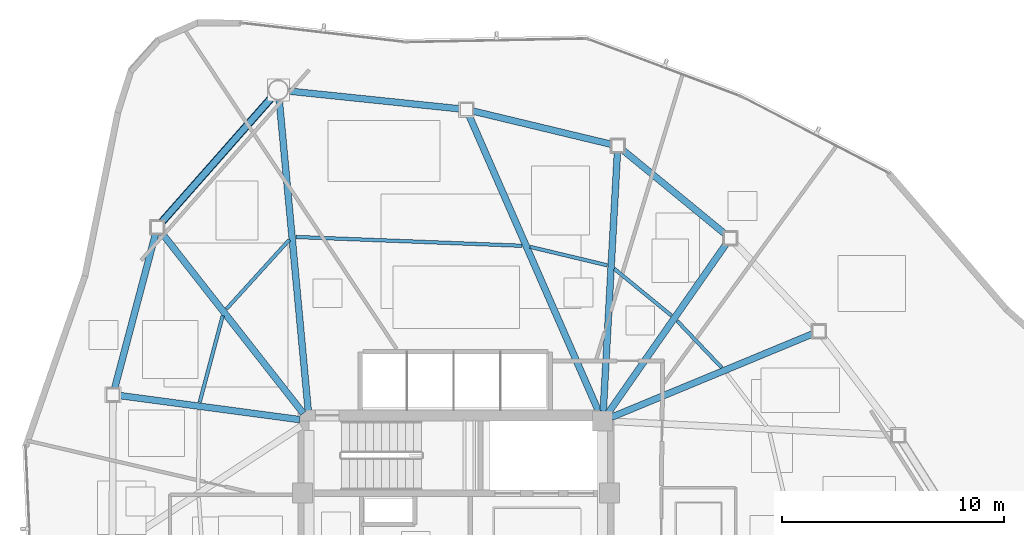
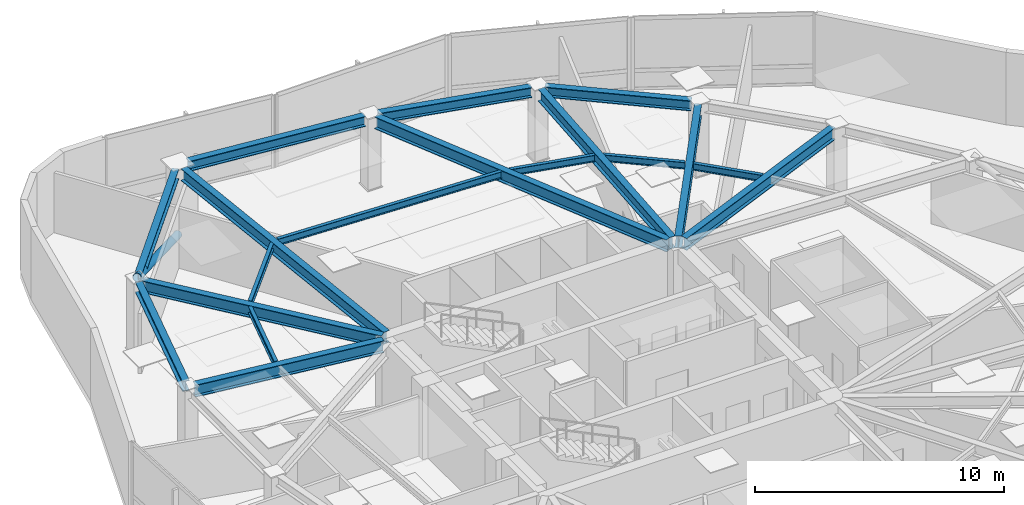
# One storey, part 7 of 17: 18 beams, 1 member.
"""IFC4 building model written with IfcOpenShell, lengths in metres."""

from ifc_helpers import new_model, si_unit, direction, frame, origin, origin_2d, place, context, subcontext, project, spatial, hollow_circle, i_section, extrude, material, material_profile, profile_set, type_object, element, save


model = new_model("IFC4")

# Units and contexts
model_context = context("Model", 3, precision=1e-05, world=origin(), true_north=direction((0.0, 1.0)))
body_context = subcontext(model_context, "Body", "Model", "MODEL_VIEW")
ifc_project = project(units=[si_unit("LENGTHUNIT", "METRE"), si_unit("AREAUNIT", "SQUARE_METRE"), si_unit("VOLUMEUNIT", "CUBIC_METRE"), si_unit("PLANEANGLEUNIT", "RADIAN"), si_unit("MASSUNIT", "GRAM", prefix="KILO")], contexts=[model_context])

# Site, building, storey
site_placement = place(None, origin())
site = spatial("IfcSite", under=ifc_project, at=site_placement, CompositionType="ELEMENT")
building_placement = place(site_placement, origin())
building = spatial("IfcBuilding", under=site, at=building_placement, Name="Tavelor Broadcast Tower", CompositionType="ELEMENT")
storey_placement = place(building_placement, frame((0.0, 0.0, 184.89990234375)))
storey = spatial("IfcBuildingStorey", under=building, at=storey_placement, Name="L44", CompositionType="ELEMENT", Elevation=184.89990234375)

# Beams
ifc_material = material(Name="Steel S355", Category="steel")
ifc_material_profile_1 = material_profile(ifc_material, i_section(OverallWidth=0.159912109375, OverallDepth=0.330078125, WebThickness=0.007568359375, FlangeThickness=0.011474609375, at=origin_2d()), Name="IPE 330")
ifc_profile_set_1 = profile_set([ifc_material_profile_1], Name="Steel S355")
beam_type_1 = type_object("IfcBeamType", Name="Composite Floor Joist T4 IPE 330", PredefinedType="JOIST", material=ifc_profile_set_1)
beam_1_placement = place(storey_placement, frame((42.505615234375, 59.343505859375, 3.385009765625), z_axis=(-0.672852052716, -0.739777071256, 0.0), x_axis=(0.739777071256, -0.672852052716, 0.0)))
element("IfcBeam", 1, at=beam_1_placement, inside=storey, type_object=beam_type_1, Name="L44 Secondary Composite Floor Joist 01", PredefinedType="JOIST", context=body_context, shape_type="SweptSolid", body=[
    extrude(i_section(OverallWidth=0.159912109375, OverallDepth=0.330078125, WebThickness=0.007568359375, FlangeThickness=0.011474609375, at=origin_2d()), origin(), (0.0, 0.0, 1.0), 4.202392578125),
])
beam_2_placement = place(storey_placement, frame((39.509521484375, 55.92578125, 3.385009765625), z_axis=(-0.256963595852, -0.966421083383, 0.0), x_axis=(0.966421083383, -0.256963595852, 0.0)))
element("IfcBeam", 2, at=beam_2_placement, inside=storey, type_object=beam_type_1, Name="L44 Secondary Composite Floor Joist 02", PredefinedType="JOIST", context=body_context, shape_type="SweptSolid", body=[
    extrude(i_section(OverallWidth=0.159912109375, OverallDepth=0.330078125, WebThickness=0.007568359375, FlangeThickness=0.011474609375, at=origin_2d()), origin(), (0.0, 0.0, 1.0), 4.021728515625),
])
beam_3_placement = place(storey_placement, frame((61.946044921875, 53.59814453125, 3.385009765625), z_axis=(-0.689642531817, 0.724149969487, 0.0), x_axis=(-0.724149969487, -0.689642531817, 0.0)))
element("IfcBeam", 3, at=beam_3_placement, inside=storey, type_object=beam_type_1, Name="L44 Secondary Composite Floor Joist 15", PredefinedType="JOIST", context=body_context, shape_type="SweptSolid", body=[
    extrude(i_section(OverallWidth=0.159912109375, OverallDepth=0.330078125, WebThickness=0.007568359375, FlangeThickness=0.011474609375, at=origin_2d()), origin(), (0.0, 0.0, 1.0), 2.893798828125),
])
beam_4_placement = place(storey_placement, frame((59.685791015625, 55.939453125, 3.385009765625), z_axis=(-0.773655391446, 0.633606609251, 0.0), x_axis=(-0.633606609251, -0.773655391446, 0.0)))
element("IfcBeam", 4, at=beam_4_placement, inside=storey, type_object=beam_type_1, Name="L44 Secondary Composite Floor Joist 16", PredefinedType="JOIST", context=body_context, shape_type="SweptSolid", body=[
    extrude(i_section(OverallWidth=0.159912109375, OverallDepth=0.330078125, WebThickness=0.007568359375, FlangeThickness=0.011474609375, at=origin_2d()), origin(), (0.0, 0.0, 1.0), 3.315673828125),
])
beam_5_placement = place(storey_placement, frame((56.804443359375, 58.197021484375, 3.385009765625), z_axis=(-0.972674676245, 0.232172294196, 0.0), x_axis=(-0.232172294196, -0.972674676245, 0.0)))
element("IfcBeam", 5, at=beam_5_placement, inside=storey, type_object=beam_type_1, Name="L44 Secondary Composite Floor Joist 17", PredefinedType="JOIST", context=body_context, shape_type="SweptSolid", body=[
    extrude(i_section(OverallWidth=0.159912109375, OverallDepth=0.330078125, WebThickness=0.007568359375, FlangeThickness=0.011474609375, at=origin_2d()), origin(), (0.0, 0.0, 1.0), 3.56884765625),
])
beam_6_placement = place(storey_placement, frame((52.976318359375, 59.07470703125, 3.385009765625), z_axis=(-0.999243420365, 0.038891989637, 0.0), x_axis=(-0.038891989637, -0.999243420365, 0.0)))
element("IfcBeam", 6, at=beam_6_placement, inside=storey, type_object=beam_type_1, Name="L44 Secondary Composite Floor Joist 18", PredefinedType="JOIST", context=body_context, shape_type="SweptSolid", body=[
    extrude(i_section(OverallWidth=0.159912109375, OverallDepth=0.330078125, WebThickness=0.007568359375, FlangeThickness=0.011474609375, at=origin_2d()), origin(), (0.0, 0.0, 1.0), 10.17578125),
])
ifc_material_profile_2 = material_profile(ifc_material, i_section(OverallWidth=0.300048828125, OverallDepth=0.5, WebThickness=0.014404296875, FlangeThickness=0.028076171875, at=origin_2d()), Name="HEB 500")
ifc_profile_set_2 = profile_set([ifc_material_profile_2], Name="Steel S355")
beam_type_2 = type_object("IfcBeamType", Name="Perimeter Spandrel Beam T4 HEB 500", PredefinedType="SPANDREL", material=ifc_profile_set_2)
beam_7_placement = place(storey_placement, frame((41.720947265625, 65.7509765625, 3.300048828125), z_axis=(-0.661625943185, -0.749834055845, 0.0), x_axis=(0.749834055845, -0.661625943185, 0.0)))
element("IfcBeam", 7, at=beam_7_placement, inside=storey, type_object=beam_type_2, Name="L44 Framed-Tube Ring Spandrel 01", PredefinedType="SPANDREL", context=body_context, shape_type="SweptSolid", body=[
    extrude(i_section(OverallWidth=0.300048828125, OverallDepth=0.5, WebThickness=0.014404296875, FlangeThickness=0.028076171875, at=origin_2d()), origin(), (0.0, 0.0, 1.0), 7.500732421875),
])
beam_8_placement = place(storey_placement, frame((36.493896484375, 59.63232421875, 3.300048828125), z_axis=(-0.255762341211, -0.96673968824, 0.0), x_axis=(0.96673968824, -0.255762341211, 0.0)))
element("IfcBeam", 8, at=beam_8_placement, inside=storey, type_object=beam_type_2, Name="L44 Framed-Tube Ring Spandrel 02", PredefinedType="SPANDREL", context=body_context, shape_type="SweptSolid", body=[
    extrude(i_section(OverallWidth=0.300048828125, OverallDepth=0.5, WebThickness=0.014404296875, FlangeThickness=0.028076171875, at=origin_2d()), origin(), (0.0, 0.0, 1.0), 7.214599609375),
])
beam_9_placement = place(storey_placement, frame((62.1083984375, 59.59912109375, 3.300048828125), z_axis=(-0.772717651191, 0.634749896839, 0.0), x_axis=(-0.634749896839, -0.772717651191, 0.0)))
element("IfcBeam", 9, at=beam_9_placement, inside=storey, type_object=beam_type_2, Name="L44 Framed-Tube Ring Spandrel 16", PredefinedType="SPANDREL", context=body_context, shape_type="SweptSolid", body=[
    extrude(i_section(OverallWidth=0.300048828125, OverallDepth=0.5, WebThickness=0.014404296875, FlangeThickness=0.028076171875, at=origin_2d()), origin(), (0.0, 0.0, 1.0), 5.965087890625),
])
beam_10_placement = place(storey_placement, frame((56.99658203125, 63.635498046875, 3.300048828125), z_axis=(-0.972354853411, 0.233508113452, 0.0), x_axis=(-0.233508113452, -0.972354853411, 0.0)))
element("IfcBeam", 10, at=beam_10_placement, inside=storey, type_object=beam_type_2, Name="L44 Framed-Tube Ring Spandrel 17", PredefinedType="SPANDREL", context=body_context, shape_type="SweptSolid", body=[
    extrude(i_section(OverallWidth=0.300048828125, OverallDepth=0.5, WebThickness=0.014404296875, FlangeThickness=0.028076171875, at=origin_2d()), origin(), (0.0, 0.0, 1.0), 6.421630859375),
])
beam_11_placement = place(storey_placement, frame((50.18603515625, 65.23193359375, 3.300048828125), z_axis=(-0.99466284774, 0.103178579783, 0.0), x_axis=(-0.103178579783, -0.99466284774, 0.0)))
element("IfcBeam", 11, at=beam_11_placement, inside=storey, type_object=beam_type_2, Name="L44 Framed-Tube Ring Spandrel 18", PredefinedType="SPANDREL", context=body_context, shape_type="SweptSolid", body=[
    extrude(i_section(OverallWidth=0.300048828125, OverallDepth=0.5, WebThickness=0.014404296875, FlangeThickness=0.028076171875, at=origin_2d()), origin(), (0.0, 0.0, 1.0), 7.780029296875),
])

# Member
ifc_material_profile_3 = material_profile(ifc_material, hollow_circle(Radius=0.177734375, WallThickness=0.01611328125, at=origin_2d()), Name="CHS 355.6x16")
ifc_profile_set_3 = profile_set([ifc_material_profile_3], Name="Steel S355")
member_type = type_object("IfcMemberType", Name="Perimeter Tube Brace T4 CHS 355.6x16", PredefinedType="BRACE", material=ifc_profile_set_3)
member_placement = place(storey_placement, frame((42.01123046875, 66.080078125, 0.0), z_axis=(-0.607484590691, -0.688484352459, 0.396171387776), x_axis=(0.74983872131, -0.661620655681, 0.0)))
element("IfcMember", 12, at=member_placement, inside=storey, type_object=member_type, Name="L44 Corner Tube Diagonal Brace 1", PredefinedType="BRACE", context=body_context, shape_type="SweptSolid", body=[
    extrude(hollow_circle(Radius=0.177734375, WallThickness=0.01611328125, at=origin_2d()), origin(), (0.0, 0.0, 1.0), 8.9609375),
])

# Beams
ifc_material_profile_4 = material_profile(ifc_material, i_section(OverallWidth=0.300048828125, OverallDepth=0.590087890625, WebThickness=0.012939453125, FlangeThickness=0.02490234375, at=origin_2d()), Name="HEA 600")
ifc_profile_set_4 = profile_set([ifc_material_profile_4], Name="Steel S355")
beam_type_3 = type_object("IfcBeamType", Name="Radial Floor Girder T4 HEA 600", PredefinedType="BEAM", material=ifc_profile_set_4)
beam_12_placement = place(storey_placement, frame((43.35986328125, 51.630126953125, 3.255126953125), z_axis=(-0.092926929372, 0.995672931136, 0.0), x_axis=(-0.995672931136, -0.092926929372, 0.0)))
element("IfcBeam", 13, at=beam_12_placement, inside=storey, type_object=beam_type_3, Name="L44 Radial Primary Floor Girder 01", PredefinedType="BEAM", context=body_context, shape_type="SweptSolid", body=[
    extrude(i_section(OverallWidth=0.300048828125, OverallDepth=0.590087890625, WebThickness=0.012939453125, FlangeThickness=0.02490234375, at=origin_2d()), origin(), (0.0, 0.0, 1.0), 14.073974609375),
])
beam_13_placement = place(storey_placement, frame((43.13330078125, 51.539794921875, 3.255126953125), z_axis=(-0.617155684101, 0.786841065007, 0.0), x_axis=(-0.786841065007, -0.617155684101, 0.0)))
element("IfcBeam", 14, at=beam_13_placement, inside=storey, type_object=beam_type_3, Name="L44 Radial Primary Floor Girder 02", PredefinedType="BEAM", context=body_context, shape_type="SweptSolid", body=[
    extrude(i_section(OverallWidth=0.300048828125, OverallDepth=0.590087890625, WebThickness=0.012939453125, FlangeThickness=0.02490234375, at=origin_2d()), origin(), (0.0, 0.0, 1.0), 10.3505859375),
])
beam_14_placement = place(storey_placement, frame((42.9716796875, 51.257080078125, 3.255126953125), z_axis=(-0.991183810809, 0.132493974169, 0.0), x_axis=(-0.132493974169, -0.991183810809, 0.0)))
element("IfcBeam", 15, at=beam_14_placement, inside=storey, type_object=beam_type_3, Name="L44 Radial Primary Floor Girder 03", PredefinedType="BEAM", context=body_context, shape_type="SweptSolid", body=[
    extrude(i_section(OverallWidth=0.300048828125, OverallDepth=0.590087890625, WebThickness=0.012939453125, FlangeThickness=0.02490234375, at=origin_2d()), origin(), (0.0, 0.0, 1.0), 8.183349609375),
])
beam_15_placement = place(storey_placement, frame((56.9990234375, 51.365478515625, 3.255126953125), z_axis=(0.923827405628, 0.38280925356, 0.0), x_axis=(-0.38280925356, 0.923827405628, 0.0)))
element("IfcBeam", 16, at=beam_15_placement, inside=storey, type_object=beam_type_3, Name="L44 Radial Primary Floor Girder 15", PredefinedType="BEAM", context=body_context, shape_type="SweptSolid", body=[
    extrude(i_section(OverallWidth=0.300048828125, OverallDepth=0.590087890625, WebThickness=0.012939453125, FlangeThickness=0.02490234375, at=origin_2d()), origin(), (0.0, 0.0, 1.0), 9.8037109375),
])
beam_16_placement = place(storey_placement, frame((56.84716796875, 51.55419921875, 3.255126953125), z_axis=(0.572078083908, 0.820199162346, 0.0), x_axis=(-0.820199162346, 0.572078083908, 0.0)))
element("IfcBeam", 17, at=beam_16_placement, inside=storey, type_object=beam_type_3, Name="L44 Radial Primary Floor Girder 16", PredefinedType="BEAM", context=body_context, shape_type="SweptSolid", body=[
    extrude(i_section(OverallWidth=0.300048828125, OverallDepth=0.590087890625, WebThickness=0.012939453125, FlangeThickness=0.02490234375, at=origin_2d()), origin(), (0.0, 0.0, 1.0), 9.29736328125),
])
beam_17_placement = place(storey_placement, frame((56.62353515625, 51.63134765625, 3.255126953125), z_axis=(0.054637852805, 0.998506236856, 0.0), x_axis=(-0.998506236856, 0.054637852805, 0.0)))
element("IfcBeam", 18, at=beam_17_placement, inside=storey, type_object=beam_type_3, Name="L44 Radial Primary Floor Girder 17", PredefinedType="BEAM", context=body_context, shape_type="SweptSolid", body=[
    extrude(i_section(OverallWidth=0.300048828125, OverallDepth=0.590087890625, WebThickness=0.012939453125, FlangeThickness=0.02490234375, at=origin_2d()), origin(), (0.0, 0.0, 1.0), 11.666748046875),
])
beam_18_placement = place(storey_placement, frame((56.4267578125, 51.595703125, 3.255126953125), z_axis=(-0.4008997337, 0.916121937036, 0.0), x_axis=(-0.916121937036, -0.4008997337, 0.0)))
element("IfcBeam", 19, at=beam_18_placement, inside=storey, type_object=beam_type_3, Name="L44 Radial Primary Floor Girder 18", PredefinedType="BEAM", context=body_context, shape_type="SweptSolid", body=[
    extrude(i_section(OverallWidth=0.300048828125, OverallDepth=0.590087890625, WebThickness=0.012939453125, FlangeThickness=0.02490234375, at=origin_2d()), origin(), (0.0, 0.0, 1.0), 14.564453125),
])

save(model, "model.ifc")
